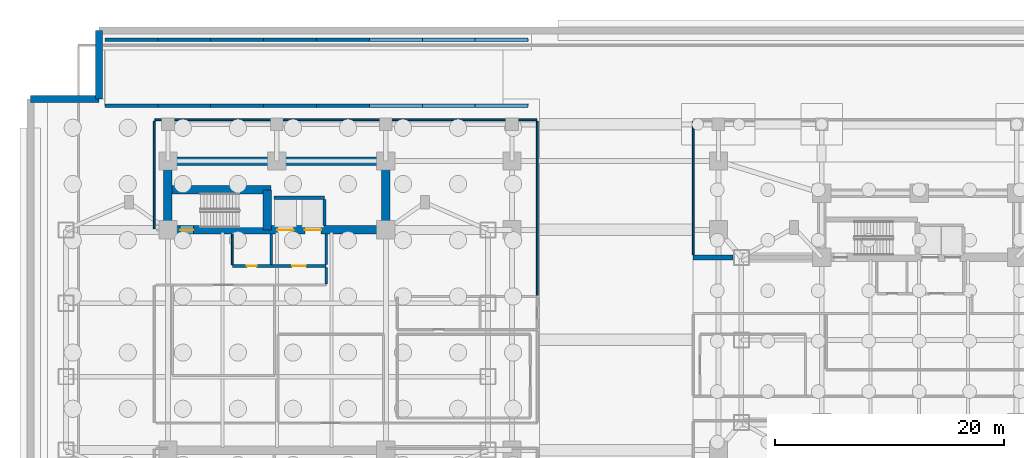
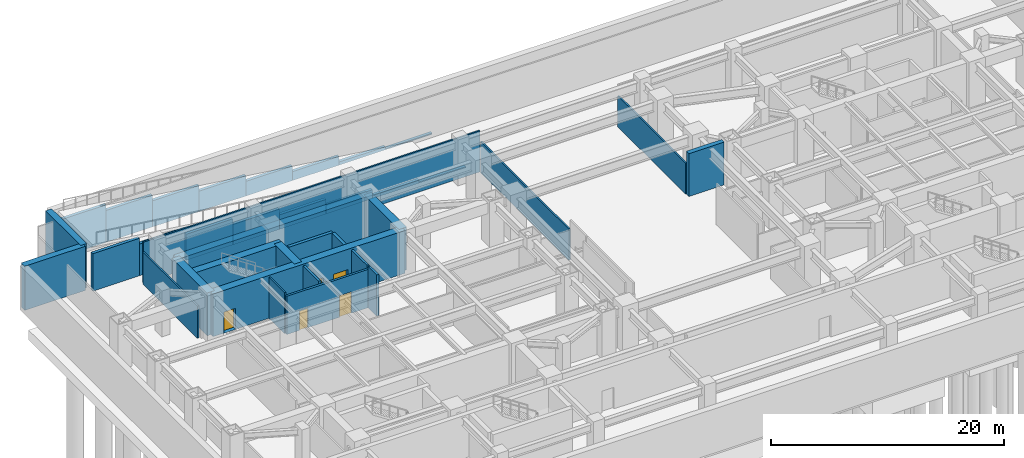
# One storey, part 8 of 16: 36 walls, 5 doors, 5 openings.
"""IFC4 building model written with IfcOpenShell, lengths in metres."""

from ifc_helpers import new_model, si_unit, direction, frame, frame_2d, origin, place, context, subcontext, project, spatial, rectangle, extrude, material, layer, layer_set, type_object, element, fill, save


model = new_model("IFC4")

# Units and contexts
model_context = context("Model", 3, precision=1e-05, world=origin(), true_north=direction((0.0, 1.0)))
body_context = subcontext(model_context, "Body", "Model", "MODEL_VIEW")
ifc_project = project(units=[si_unit("LENGTHUNIT", "METRE"), si_unit("AREAUNIT", "SQUARE_METRE"), si_unit("VOLUMEUNIT", "CUBIC_METRE"), si_unit("PLANEANGLEUNIT", "RADIAN"), si_unit("MASSUNIT", "GRAM", prefix="KILO")], contexts=[model_context])

# Site, building, storey
site_placement = place(None, origin())
site = spatial("IfcSite", under=ifc_project, at=site_placement, CompositionType="ELEMENT")
building_placement = place(site_placement, origin())
building = spatial("IfcBuilding", under=site, at=building_placement, Name="Mirazonda Arch Towers", CompositionType="ELEMENT")
storey_placement = place(building_placement, frame((0.0, 0.0, -4.800048828125)))
storey = spatial("IfcBuildingStorey", under=building, at=storey_placement, Name="B1", CompositionType="ELEMENT", Elevation=-4.800048828125)

# Walls
ifc_material_1 = material(Name="Concrete C50/60", Category="concrete")
ifc_layer_1 = layer(ifc_material_1, 0.60009765625, Name="WALL-BSMT-RET-600")
ifc_layer_set_1 = layer_set([ifc_layer_1], Name="Concrete C50/60")
wall_type_1 = type_object("IfcWallType", Name="WALL-BSMT-RET-600", PredefinedType="USERDEFINED", material=ifc_layer_set_1)
for number, where, z_axis, x_axis, name in (
    (1, (5.0, 55.0, 0.0), (0.0, 0.0, 1.0), (0.0, -1.0, 0.0), "B1 Perimeter Retaining Wall 8"),
    (2, (5.0, 49.0, 0.0), (0.0, 0.0, 1.0), (-1.0, 0.0, 0.0), "B1 Perimeter Retaining Wall 9"),
):
    element("IfcWall", number, at=place(storey_placement, frame(where, z_axis=z_axis, x_axis=x_axis)), inside=storey, type_object=wall_type_1, Name=name, ObjectType="RETAININGWALL", PredefinedType="USERDEFINED", context=body_context, shape_type="SweptSolid", body=[
        extrude(rectangle(XDim=6.0, YDim=0.60009765625, at=frame_2d((3.0, 0.0))), origin(), (0.0, 0.0, 1.0), 4.6201171875),
    ])
ifc_layer_2 = layer(ifc_material_1, 0.449951171875, Name="WALL-CORE-450")
ifc_layer_set_2 = layer_set([ifc_layer_2], Name="Concrete C50/60")
wall_type_2 = type_object("IfcWallType", Name="WALL-CORE-450", PredefinedType="SHEAR", material=ifc_layer_set_2)
wall_1_placement = place(storey_placement, frame((56.800048828125, 35.199951171875, 0.0), z_axis=(0.0, 0.0, 1.0), x_axis=(1.0, 0.0, 0.0)))
element("IfcWall", 3, at=wall_1_placement, inside=storey, type_object=wall_type_2, Name="B1 Stair Core Shear Wall 031", PredefinedType="SHEAR", context=body_context, shape_type="SweptSolid", body=[
    extrude(rectangle(XDim=3.48486328125, YDim=0.449951171875, at=frame_2d((1.742431640625, 0.0))), origin(), (0.0, 0.0, 1.0), 4.47998046875),
])
ifc_material_2 = material(Name="Concrete C60/75", Category="concrete")
ifc_layer_3 = layer(ifc_material_2, 0.75, Name="WALL-CORE-750")
ifc_layer_set_3 = layer_set([ifc_layer_3], Name="Concrete C60/75")
wall_type_3 = type_object("IfcWallType", Name="WALL-CORE-750", PredefinedType="SHEAR", material=ifc_layer_set_3)
wall_2_placement = place(storey_placement, frame((11.0, 43.60009765625, 0.0), z_axis=(0.0, 0.0, 1.0), x_axis=(1.0, 0.0, 0.0)))
element("IfcWall", 4, at=wall_2_placement, inside=storey, type_object=wall_type_3, Name="B1 T1N-N Core Shear Wall", PredefinedType="SHEAR", context=body_context, shape_type="SweptSolid", body=[
    extrude(rectangle(XDim=19.0, YDim=0.75, at=frame_2d((9.5, 0.0))), origin(), (0.0, 0.0, 1.0), 4.47998046875),
])
for number, where, z_axis, x_axis, name in (
    (5, (11.0, 37.60009765625, 0.0), (0.0, 0.0, 1.0), (0.0, 1.0, 0.0), "B1 T1N-W Core Shear Wall"),
    (6, (30.0, 37.60009765625, 0.0), (0.0, 0.0, 1.0), (0.0, 1.0, 0.0), "B1 T1N-E Core Shear Wall"),
):
    element("IfcWall", number, at=place(storey_placement, frame(where, z_axis=z_axis, x_axis=x_axis)), inside=storey, type_object=wall_type_3, Name=name, PredefinedType="SHEAR", context=body_context, shape_type="SweptSolid", body=[
        extrude(rectangle(XDim=6.0, YDim=0.75, at=frame_2d((3.0, 0.0))), origin(), (0.0, 0.0, 1.0), 4.47998046875),
    ])

# Wall, openings, doors
wall_3_placement = place(storey_placement, frame((11.0, 37.60009765625, 0.0), z_axis=(0.0, 0.0, 1.0), x_axis=(1.0, 0.0, 0.0)))
wall_3 = element("IfcWall", 7, at=wall_3_placement, inside=storey, type_object=wall_type_3, Name="B1 T1N-S Core Shear Wall", PredefinedType="SHEAR", context=body_context, shape_type="SweptSolid", body=[
    extrude(rectangle(XDim=19.0, YDim=0.75, at=frame_2d((9.5, 0.0))), origin(), (0.0, 0.0, 1.0), 4.47998046875),
])
opening_1_placement = place(wall_3_placement, frame((1.070068359375, 0.0, 0.0)))
opening_1 = element("IfcOpeningElement", 8, at=opening_1_placement, cuts=wall_3, Name="Opening DR-135", PredefinedType="OPENING", context=body_context, shape_type="SweptSolid", body=[
    extrude(rectangle(XDim=1.14990234375, YDim=2.199951171875, at=frame_2d((0.574951171875, 1.10009765625))), frame((0.0, 0.385009765625, 0.0), z_axis=(0.0, -1.0, 0.0), x_axis=(1.0, 0.0, 0.0)), (0.0, 0.0, 1.0), 0.77001953125),
])
opening_2_placement = place(wall_3_placement, frame((9.550048828125, 0.0, 0.0)))
opening_2 = element("IfcOpeningElement", 9, at=opening_2_placement, cuts=wall_3, Name="Opening LD-112", PredefinedType="OPENING", context=body_context, shape_type="SweptSolid", body=[
    extrude(rectangle(XDim=1.39990234375, YDim=2.35009765625, at=frame_2d((0.699951171875, 1.175048828125))), frame((0.0, 0.385009765625, 0.0), z_axis=(0.0, -1.0, 0.0), x_axis=(1.0, 0.0, 0.0)), (0.0, 0.0, 1.0), 0.77001953125),
])
opening_3_placement = place(wall_3_placement, frame((11.949951171875, 0.0, 0.0)))
opening_3 = element("IfcOpeningElement", 10, at=opening_3_placement, cuts=wall_3, Name="Opening LD-112", PredefinedType="OPENING", context=body_context, shape_type="SweptSolid", body=[
    extrude(rectangle(XDim=1.39990234375, YDim=2.35009765625, at=frame_2d((0.699951171875, 1.175048828125))), frame((0.0, 0.385009765625, 0.0), z_axis=(0.0, -1.0, 0.0), x_axis=(1.0, 0.0, 0.0)), (0.0, 0.0, 1.0), 0.77001953125),
])
ifc_material_3 = material(Name="Architectural Brushed Steel S355", Category="steel")
door_type_1 = type_object("IfcDoorType", Name="DOOR-LIFT-FFL-1400", OperationType="NOTDEFINED", PredefinedType="DOOR", material=ifc_material_3)
door_1_placement = place(opening_2_placement, origin())
door_1 = element("IfcDoor", 11, at=door_1_placement, inside=storey, type_object=door_type_1, Name="B1 Lift Landing Sliding Door FFL-T1", OperationType="DOUBLE_DOOR_SLIDING", OverallHeight=2.35009765625, OverallWidth=1.39990234375, PredefinedType="DOOR", context=body_context, shape_type="SweptSolid", body=[
    extrude(rectangle(XDim=1.39990234375, YDim=2.35009765625, at=frame_2d((0.699951171875, 1.175048828125))), frame((0.0, 0.02490234375, 0.0), z_axis=(0.0, -1.0, 0.0), x_axis=(1.0, 0.0, 0.0)), (0.0, 0.0, 1.0), 0.050048828125),
])
fill(opening_2, door_1)
door_2_placement = place(opening_3_placement, origin())
door_2 = element("IfcDoor", 12, at=door_2_placement, inside=storey, type_object=door_type_1, Name="B1 Lift Landing Sliding Door SVL-T1", OperationType="DOUBLE_DOOR_SLIDING", OverallHeight=2.35009765625, OverallWidth=1.39990234375, PredefinedType="DOOR", context=body_context, shape_type="SweptSolid", body=[
    extrude(rectangle(XDim=1.39990234375, YDim=2.35009765625, at=frame_2d((0.699951171875, 1.175048828125))), frame((0.0, 0.02490234375, 0.0), z_axis=(0.0, -1.0, 0.0), x_axis=(1.0, 0.0, 0.0)), (0.0, 0.0, 1.0), 0.050048828125),
])
fill(opening_3, door_2)
door_type_2 = type_object("IfcDoorType", Name="DOOR-STAIR-FD90-1150", OperationType="NOTDEFINED", PredefinedType="DOOR", material=ifc_material_3)
door_3_placement = place(opening_1_placement, origin())
door_3 = element("IfcDoor", 13, at=door_3_placement, inside=storey, type_object=door_type_2, Name="B1 Protected Exit Stair North Door", OperationType="SINGLE_SWING_LEFT", OverallHeight=2.199951171875, OverallWidth=1.14990234375, PredefinedType="DOOR", context=body_context, shape_type="SweptSolid", body=[
    extrude(rectangle(XDim=1.14990234375, YDim=2.199951171875, at=frame_2d((0.574951171875, 1.10009765625))), frame((0.0, 0.02490234375, 0.0), z_axis=(0.0, -1.0, 0.0), x_axis=(1.0, 0.0, 0.0)), (0.0, 0.0, 1.0), 0.050048828125),
])
fill(opening_1, door_3)

# Walls
wall_4_placement = place(storey_placement, frame((11.0, 41.094970703125, 0.0), z_axis=(0.0, 0.0, 1.0), x_axis=(1.0, 0.0, 0.0)))
element("IfcWall", 14, at=wall_4_placement, inside=storey, type_object=wall_type_3, Name="B1 T1N-STN Core Shear Wall", PredefinedType="SHEAR", context=body_context, shape_type="SweptSolid", body=[
    extrude(rectangle(XDim=9.0, YDim=0.75, at=frame_2d((4.5, 0.0))), origin(), (0.0, 0.0, 1.0), 4.47998046875),
])
wall_5_placement = place(storey_placement, frame((19.64990234375, 37.60009765625, 0.0), z_axis=(0.0, 0.0, 1.0), x_axis=(0.0, 1.0, 0.0)))
element("IfcWall", 15, at=wall_5_placement, inside=storey, type_object=wall_type_3, Name="B1 T1N-STE Core Shear Wall", PredefinedType="SHEAR", context=body_context, shape_type="SweptSolid", body=[
    extrude(rectangle(XDim=3.494873046875, YDim=0.75, at=frame_2d((1.74755859375, 0.0))), origin(), (0.0, 0.0, 1.0), 4.47998046875),
])

# Wall, openings, doors
ifc_material_4 = material(Name="Concrete C40/50", Category="concrete")
ifc_layer_4 = layer(ifc_material_4, 0.219970703125, Name="WALL-FFL-220")
ifc_layer_set_4 = layer_set([ifc_layer_4], Name="Concrete C40/50")
wall_type_4 = type_object("IfcWallType", Name="WALL-FFL-220", PredefinedType="SOLIDWALL", material=ifc_layer_set_4)
wall_6_placement = place(storey_placement, frame((16.639892578125, 34.449951171875, 0.0), z_axis=(0.0, 0.0, 1.0), x_axis=(1.0, 0.0, 0.0)))
wall_6 = element("IfcWall", 16, at=wall_6_placement, inside=storey, type_object=wall_type_4, Name="B1 Interior Partition 030", PredefinedType="SOLIDWALL", context=body_context, shape_type="SweptSolid", body=[
    extrude(rectangle(XDim=8.16015625, YDim=0.219970703125, at=frame_2d((4.080078125, 0.0))), origin(), (0.0, 0.0, 1.0), 4.009033203125),
])
opening_4_placement = place(wall_6_placement, frame((5.18994140625, 0.0, 0.0)))
opening_4 = element("IfcOpeningElement", 17, at=opening_4_placement, cuts=wall_6, Name="Opening DR-117", PredefinedType="OPENING", context=body_context, shape_type="SweptSolid", body=[
    extrude(rectangle(XDim=1.199951171875, YDim=2.25, at=frame_2d((0.60009765625, 1.125))), frame((0.0, 0.119873046875, 0.0), z_axis=(0.0, -1.0, 0.0), x_axis=(1.0, 0.0, 0.0)), (0.0, 0.0, 1.0), 0.239990234375),
])
opening_5_placement = place(wall_6_placement, frame((1.25, 0.0, 0.0)))
opening_5 = element("IfcOpeningElement", 18, at=opening_5_placement, cuts=wall_6, Name="Opening DR-128", PredefinedType="OPENING", context=body_context, shape_type="SweptSolid", body=[
    extrude(rectangle(XDim=0.85009765625, YDim=2.010009765625, at=frame_2d((0.425048828125, 1.0048828125))), frame((0.0, 0.119873046875, 0.0), z_axis=(0.0, -1.0, 0.0), x_axis=(1.0, 0.0, 0.0)), (0.0, 0.0, 1.0), 0.239990234375),
])
door_type_3 = type_object("IfcDoorType", Name="DOOR-FFL-FD90-1200", OperationType="NOTDEFINED", PredefinedType="DOOR", material=ifc_material_3)
door_4_placement = place(opening_4_placement, origin())
door_4 = element("IfcDoor", 19, at=door_4_placement, inside=storey, type_object=door_type_3, Name="B1 Firefighting Lift Lobby Door", OperationType="SINGLE_SWING_RIGHT", OverallHeight=2.25, OverallWidth=1.199951171875, PredefinedType="DOOR", context=body_context, shape_type="SweptSolid", body=[
    extrude(rectangle(XDim=1.199951171875, YDim=2.25, at=frame_2d((0.60009765625, 1.125))), frame((0.0, 0.02490234375, 0.0), z_axis=(0.0, -1.0, 0.0), x_axis=(1.0, 0.0, 0.0)), (0.0, 0.0, 1.0), 0.050048828125),
])
fill(opening_4, door_4)
door_type_4 = type_object("IfcDoorType", Name="DOOR-RISER-FD60-850", OperationType="NOTDEFINED", PredefinedType="DOOR", material=ifc_material_3)
door_5_placement = place(opening_5_placement, origin())
door_5 = element("IfcDoor", 20, at=door_5_placement, inside=storey, type_object=door_type_4, Name="B1 Electrical & Housekeeping Service Room Door", OperationType="SINGLE_SWING_LEFT", OverallHeight=2.010009765625, OverallWidth=0.85009765625, PredefinedType="DOOR", context=body_context, shape_type="SweptSolid", body=[
    extrude(rectangle(XDim=0.85009765625, YDim=2.010009765625, at=frame_2d((0.425048828125, 1.0048828125))), frame((0.0, 0.02490234375, 0.0), z_axis=(0.0, -1.0, 0.0), x_axis=(1.0, 0.0, 0.0)), (0.0, 0.0, 1.0), 0.050048828125),
])
fill(opening_5, door_5)

# Walls
wall_7_placement = place(storey_placement, frame((20.02490234375, 34.570068359375, 0.0), z_axis=(0.0, 0.0, 1.0), x_axis=(0.0, 1.0, 0.0)))
element("IfcWall", 21, at=wall_7_placement, inside=storey, type_object=wall_type_4, Name="B1 Interior Partition 049", PredefinedType="SOLIDWALL", context=body_context, shape_type="SweptSolid", body=[
    extrude(rectangle(XDim=2.659912109375, YDim=0.219970703125, at=frame_2d((1.330078125, 0.0))), origin(), (0.0, 0.0, 1.0), 4.300048828125),
])
wall_8_placement = place(storey_placement, frame((24.800048828125, 32.885009765625, 0.0), z_axis=(0.0, 0.0, 1.0), x_axis=(0.0, 1.0, 0.0)))
element("IfcWall", 22, at=wall_8_placement, inside=storey, type_object=wall_type_4, Name="B1 Interior Partition 055", PredefinedType="SOLIDWALL", context=body_context, shape_type="SweptSolid", body=[
    extrude(rectangle(XDim=1.445068359375, YDim=0.219970703125, at=frame_2d((0.72265625, 0.0))), origin(), (0.0, 0.0, 1.0), 4.300048828125),
])
wall_9_placement = place(storey_placement, frame((24.800048828125, 34.570068359375, 0.0), z_axis=(0.0, 0.0, 1.0), x_axis=(0.0, 1.0, 0.0)))
element("IfcWall", 23, at=wall_9_placement, inside=storey, type_object=wall_type_4, Name="B1 Interior Partition 056", PredefinedType="SOLIDWALL", context=body_context, shape_type="SweptSolid", body=[
    extrude(rectangle(XDim=2.659912109375, YDim=0.219970703125, at=frame_2d((1.330078125, 0.0))), origin(), (0.0, 0.0, 1.0), 4.300048828125),
])
ifc_material_5 = material(Name="Fire-Rated Gypsum Stud Partition")
ifc_layer_5 = layer(ifc_material_5, 0.14990234375, Name="WALL-PART-CORR-150")
ifc_layer_set_5 = layer_set([ifc_layer_5], Name="Fire-Rated Gypsum Stud Partition")
wall_type_5 = type_object("IfcWallType", Name="WALL-PART-CORR-150", PredefinedType="PARTITIONING", material=ifc_layer_set_5)
wall_10_placement = place(storey_placement, frame((9.85009765625, 47.199951171875, 0.0), z_axis=(0.0, 0.0, 1.0), x_axis=(1.0, 0.0, 0.0)))
element("IfcWall", 24, at=wall_10_placement, inside=storey, type_object=wall_type_5, Name="B1 Interior Partition 038", PredefinedType="PARTITIONING", context=body_context, shape_type="SweptSolid", body=[
    extrude(rectangle(XDim=33.2998046875, YDim=0.14990234375, at=frame_2d((16.64990234375, 0.0))), origin(), (0.0, 0.0, 1.0), 4.300048828125),
])
wall_11_placement = place(storey_placement, frame((9.800048828125, 37.702392578125, 0.0), z_axis=(0.0, 0.0, 1.0), x_axis=(0.0, 1.0, 0.0)))
element("IfcWall", 25, at=wall_11_placement, inside=storey, type_object=wall_type_5, Name="B1 Interior Partition 045", PredefinedType="PARTITIONING", context=body_context, shape_type="SweptSolid", body=[
    extrude(rectangle(XDim=9.34765625, YDim=0.14990234375, at=frame_2d((4.673828125, 0.0))), origin(), (0.0, 0.0, 1.0), 3.3720703125),
])
wall_12_placement = place(storey_placement, frame((16.60009765625, 34.570068359375, 0.0), z_axis=(0.0, 0.0, 1.0), x_axis=(0.0, 1.0, 0.0)))
element("IfcWall", 26, at=wall_12_placement, inside=storey, type_object=wall_type_5, Name="B1 Interior Partition 047", PredefinedType="PARTITIONING", context=body_context, shape_type="SweptSolid", body=[
    extrude(rectangle(XDim=2.659912109375, YDim=0.14990234375, at=frame_2d((1.330078125, 0.0))), origin(), (0.0, 0.0, 1.0), 4.300048828125),
])
wall_13_placement = place(storey_placement, frame((43.199951171875, 31.885009765625, 0.0), z_axis=(0.0, 0.0, 1.0), x_axis=(0.0, 1.0, 0.0)))
element("IfcWall", 27, at=wall_13_placement, inside=storey, type_object=wall_type_5, Name="B1 Interior Partition 067", PredefinedType="PARTITIONING", context=body_context, shape_type="SweptSolid", body=[
    extrude(rectangle(XDim=15.1650390625, YDim=0.14990234375, at=frame_2d((7.58251953125, 0.0))), origin(), (0.0, 0.0, 1.0), 3.251953125),
])
wall_14_placement = place(storey_placement, frame((56.800048828125, 35.43505859375, 0.0), z_axis=(0.0, 0.0, 1.0), x_axis=(0.0, 1.0, 0.0)))
element("IfcWall", 28, at=wall_14_placement, inside=storey, type_object=wall_type_5, Name="B1 Interior Partition 071", PredefinedType="PARTITIONING", context=body_context, shape_type="SweptSolid", body=[
    extrude(rectangle(XDim=11.614990234375, YDim=0.14990234375, at=frame_2d((5.8076171875, 0.0))), origin(), (0.0, 0.0, 1.0), 3.251953125),
])
ifc_layer_6 = layer(ifc_material_1, 0.300048828125, Name="WALL-RAMP-SUP-300")
ifc_layer_set_6 = layer_set([ifc_layer_6], Name="Concrete C50/60")
wall_type_6 = type_object("IfcWallType", Name="WALL-RAMP-SUP-300", PredefinedType="SHEAR", material=ifc_layer_set_6)
for number, where, z_axis, x_axis, name in (
    (29, (5.5, 48.419921875, 0.0), (0.0, 0.0, 1.0), (1.0, 0.0, 0.0), "B1 Vehicle Ramp Support Wall S1"),
    (30, (5.5, 54.179931640625, 0.0), (0.0, 0.0, 1.0), (1.0, 0.0, 0.0), "B1 Vehicle Ramp Support Wall N1"),
):
    element("IfcWall", number, at=place(storey_placement, frame(where, z_axis=z_axis, x_axis=x_axis)), inside=storey, type_object=wall_type_6, Name=name, PredefinedType="SHEAR", context=body_context, shape_type="SweptSolid", body=[
        extrude(rectangle(XDim=4.612548828125, YDim=0.300048828125, at=frame_2d((2.30615234375, 0.0))), origin(), (0.0, 0.0, 1.0), 3.925048828125),
    ])
for number, where, z_axis, x_axis, name in (
    (31, (10.112548828125, 48.419921875, 0.0), (0.0, 0.0, 1.0), (1.0, 0.0, 0.0), "B1 Vehicle Ramp Support Wall S2"),
    (32, (10.112548828125, 54.179931640625, 0.0), (0.0, 0.0, 1.0), (1.0, 0.0, 0.0), "B1 Vehicle Ramp Support Wall N2"),
):
    element("IfcWall", number, at=place(storey_placement, frame(where, z_axis=z_axis, x_axis=x_axis)), inside=storey, type_object=wall_type_6, Name=name, PredefinedType="SHEAR", context=body_context, shape_type="SweptSolid", body=[
        extrude(rectangle(XDim=4.612548828125, YDim=0.300048828125, at=frame_2d((2.30615234375, 0.0))), origin(), (0.0, 0.0, 1.0), 3.324951171875),
    ])
for number, where, z_axis, x_axis, name in (
    (33, (14.72509765625, 48.419921875, 0.0), (0.0, 0.0, 1.0), (1.0, 0.0, 0.0), "B1 Vehicle Ramp Support Wall S3"),
    (34, (14.72509765625, 54.179931640625, 0.0), (0.0, 0.0, 1.0), (1.0, 0.0, 0.0), "B1 Vehicle Ramp Support Wall N3"),
):
    element("IfcWall", number, at=place(storey_placement, frame(where, z_axis=z_axis, x_axis=x_axis)), inside=storey, type_object=wall_type_6, Name=name, PredefinedType="SHEAR", context=body_context, shape_type="SweptSolid", body=[
        extrude(rectangle(XDim=4.6123046875, YDim=0.300048828125, at=frame_2d((2.30615234375, 0.0))), origin(), (0.0, 0.0, 1.0), 2.72509765625),
    ])
for number, where, z_axis, x_axis, name in (
    (35, (19.33740234375, 48.419921875, 0.0), (0.0, 0.0, 1.0), (1.0, 0.0, 0.0), "B1 Vehicle Ramp Support Wall S4"),
    (36, (19.33740234375, 54.179931640625, 0.0), (0.0, 0.0, 1.0), (1.0, 0.0, 0.0), "B1 Vehicle Ramp Support Wall N4"),
):
    element("IfcWall", number, at=place(storey_placement, frame(where, z_axis=z_axis, x_axis=x_axis)), inside=storey, type_object=wall_type_6, Name=name, PredefinedType="SHEAR", context=body_context, shape_type="SweptSolid", body=[
        extrude(rectangle(XDim=4.612548828125, YDim=0.300048828125, at=frame_2d((2.30615234375, 0.0))), origin(), (0.0, 0.0, 1.0), 2.125),
    ])
for number, where, z_axis, x_axis, name in (
    (37, (23.949951171875, 48.419921875, 0.0), (0.0, 0.0, 1.0), (1.0, 0.0, 0.0), "B1 Vehicle Ramp Support Wall S5"),
    (38, (23.949951171875, 54.179931640625, 0.0), (0.0, 0.0, 1.0), (1.0, 0.0, 0.0), "B1 Vehicle Ramp Support Wall N5"),
):
    element("IfcWall", number, at=place(storey_placement, frame(where, z_axis=z_axis, x_axis=x_axis)), inside=storey, type_object=wall_type_6, Name=name, PredefinedType="SHEAR", context=body_context, shape_type="SweptSolid", body=[
        extrude(rectangle(XDim=4.612548828125, YDim=0.300048828125, at=frame_2d((2.30615234375, 0.0))), origin(), (0.0, 0.0, 1.0), 1.525146484375),
    ])
for number, where, z_axis, x_axis, name in (
    (39, (28.5625, 48.419921875, 0.0), (0.0, 0.0, 1.0), (1.0, 0.0, 0.0), "B1 Vehicle Ramp Support Wall S6"),
    (40, (28.5625, 54.179931640625, 0.0), (0.0, 0.0, 1.0), (1.0, 0.0, 0.0), "B1 Vehicle Ramp Support Wall N6"),
):
    element("IfcWall", number, at=place(storey_placement, frame(where, z_axis=z_axis, x_axis=x_axis)), inside=storey, type_object=wall_type_6, Name=name, PredefinedType="SHEAR", context=body_context, shape_type="SweptSolid", body=[
        extrude(rectangle(XDim=4.612548828125, YDim=0.300048828125, at=frame_2d((2.30615234375, 0.0))), origin(), (0.0, 0.0, 1.0), 0.925048828125),
    ])
for number, where, z_axis, x_axis, name in (
    (41, (33.175048828125, 48.419921875, 0.0), (0.0, 0.0, 1.0), (1.0, 0.0, 0.0), "B1 Vehicle Ramp Support Wall S7"),
    (42, (33.175048828125, 54.179931640625, 0.0), (0.0, 0.0, 1.0), (1.0, 0.0, 0.0), "B1 Vehicle Ramp Support Wall N7"),
):
    element("IfcWall", number, at=place(storey_placement, frame(where, z_axis=z_axis, x_axis=x_axis)), inside=storey, type_object=wall_type_6, Name=name, PredefinedType="SHEAR", context=body_context, shape_type="SweptSolid", body=[
        extrude(rectangle(XDim=4.612548828125, YDim=0.300048828125, at=frame_2d((2.30615234375, 0.0))), origin(), (0.0, 0.0, 1.0), 0.324951171875),
    ])
for number, where, z_axis, x_axis, name in (
    (43, (37.78759765625, 48.419921875, 0.0), (0.0, 0.0, 1.0), (1.0, 0.0, 0.0), "B1 Vehicle Ramp Support Wall S8"),
    (44, (37.78759765625, 54.179931640625, 0.0), (0.0, 0.0, 1.0), (1.0, 0.0, 0.0), "B1 Vehicle Ramp Support Wall N8"),
):
    element("IfcWall", number, at=place(storey_placement, frame(where, z_axis=z_axis, x_axis=x_axis)), inside=storey, type_object=wall_type_6, Name=name, PredefinedType="SHEAR", context=body_context, shape_type="SweptSolid", body=[
        extrude(rectangle(XDim=4.6123046875, YDim=0.300048828125, at=frame_2d((2.30615234375, 0.0))), origin(), (0.0, 0.0, 1.0), 0.1201171875),
    ])
ifc_layer_7 = layer(ifc_material_1, 0.300048828125, Name="WALL-SHAFT-300")
ifc_layer_set_7 = layer_set([ifc_layer_7], Name="Concrete C50/60")
wall_type_7 = type_object("IfcWallType", Name="WALL-SHAFT-300", PredefinedType="SOLIDWALL", material=ifc_layer_set_7)
wall_15_placement = place(storey_placement, frame((20.25, 40.39990234375, 0.0), z_axis=(0.0, 0.0, 1.0), x_axis=(1.0, 0.0, 0.0)))
element("IfcWall", 45, at=wall_15_placement, inside=storey, type_object=wall_type_7, Name="B1 Interior Partition 036", PredefinedType="SOLIDWALL", context=body_context, shape_type="SweptSolid", body=[
    extrude(rectangle(XDim=4.39990234375, YDim=0.300048828125, at=frame_2d((2.199951171875, 0.0))), origin(), (0.0, 0.0, 1.0), 4.300048828125),
])
wall_16_placement = place(storey_placement, frame((24.64990234375, 37.969970703125, 0.0), z_axis=(0.0, 0.0, 1.0), x_axis=(0.0, 1.0, 0.0)))
element("IfcWall", 46, at=wall_16_placement, inside=storey, type_object=wall_type_7, Name="B1 Interior Partition 054", PredefinedType="SOLIDWALL", context=body_context, shape_type="SweptSolid", body=[
    extrude(rectangle(XDim=2.27001953125, YDim=0.300048828125, at=frame_2d((1.135009765625, 0.0))), origin(), (0.0, 0.0, 1.0), 4.300048828125),
])

save(model, "model.ifc")
